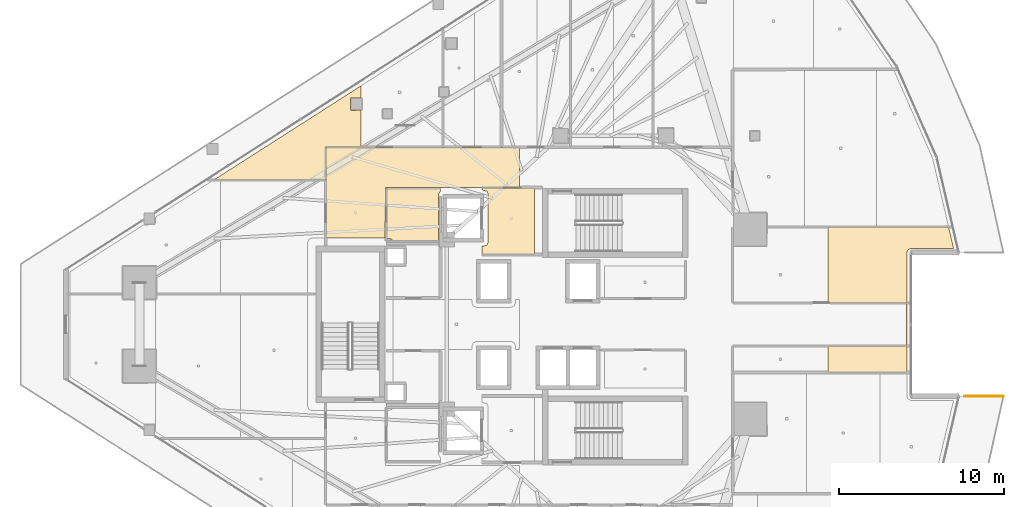
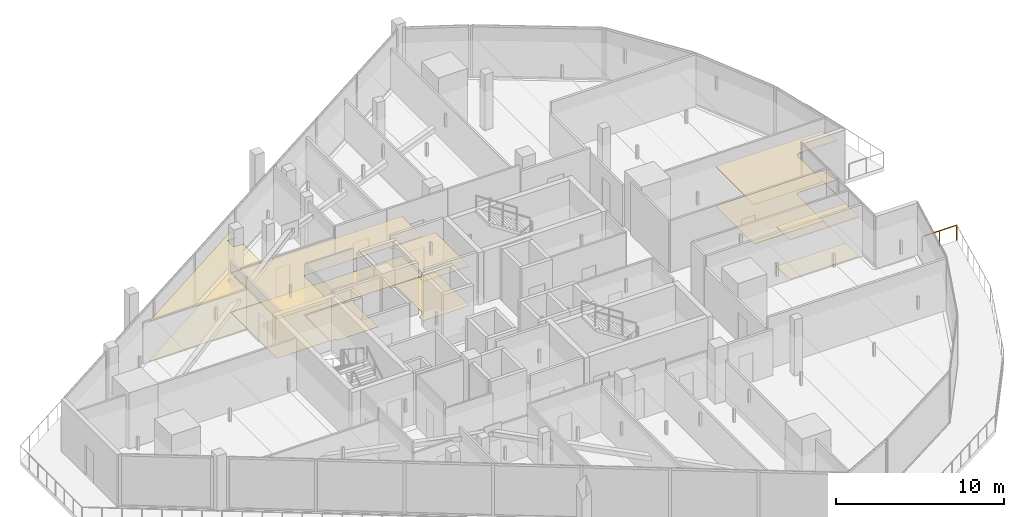
# One storey, part 41 of 43: 9 coverings, 1 railing.
"""IFC4 building model written with IfcOpenShell, lengths in metres."""

import ifcopenshell
import ifcopenshell.guid

model = None  # the IFC model being written
_history = None  # IfcOwnerHistory: only IFC2X3 demands one
_inside = {}  # id of a spatial element -> (the spatial element, [elements in it])
_under = {}  # id of a project, library or spatial element -> (it, [spatial elements below it])
_declared = {}  # id of a project -> (the project, [libraries it declares])
_typed = {}  # id of a type object -> (the type object, [elements of that type])
_made_of = {}  # id of a material, layer set ... -> (it, [elements and type objects made of it])


def new_model(schema):
    """Start an empty IFC model of exactly this schema.

    Asked for "IFC4X3", IfcOpenShell would pick the latest addendum, in which some entities
    have other attributes; the version numbers below select the first issue.
    IFC2X3 requires an IfcOwnerHistory on every rooted entity: one is made here for all.
    """
    global model, _history
    if schema == "IFC4X3":
        model = ifcopenshell.file(schema_version=(4, 3, 0, 0))
    else:
        model = ifcopenshell.file(schema=schema)
    _inside.clear()
    _under.clear()
    _declared.clear()
    _typed.clear()
    _made_of.clear()
    _history = None
    if model.schema == "IFC2X3":
        org = make("IfcOrganization", Name="unknown")
        user = make(
            "IfcPersonAndOrganization",
            ThePerson=make("IfcPerson", FamilyName="unknown"),
            TheOrganization=org,
        )
        app = make(
            "IfcApplication",
            ApplicationDeveloper=org,
            Version="unknown",
            ApplicationFullName="unknown",
            ApplicationIdentifier="unknown",
        )
        _history = make(
            "IfcOwnerHistory",
            OwningUser=user,
            OwningApplication=app,
            ChangeAction="ADDED",
            CreationDate=0,
        )
    return model


def make(cls, **values):
    """One entity of the class cls with the attributes given. An attribute that is None is left unset."""
    return model.create_entity(
        cls, **{name: value for name, value in values.items() if value is not None}
    )


def rooted(cls, **values):
    """An entity with a GlobalId (a new one), such as an element, a storey or a relation."""
    return make(cls, GlobalId=ifcopenshell.guid.new(), OwnerHistory=_history, **values)


def si_unit(unit_type, name, prefix=None):
    """IfcSIUnit, for example si_unit("LENGTHUNIT", "METRE", prefix="MILLI")."""
    return make("IfcSIUnit", UnitType=unit_type, Prefix=prefix, Name=name)


def assignment(units):
    """IfcUnitAssignment: the units of a project."""
    return None if units is None else make("IfcUnitAssignment", Units=units)


def point(xyz):
    """IfcCartesianPoint."""
    return None if xyz is None else make("IfcCartesianPoint", Coordinates=xyz)


def direction(xyz):
    """IfcDirection."""
    return None if xyz is None else make("IfcDirection", DirectionRatios=xyz)


def frame(location, z_axis=None, x_axis=None):
    """IfcAxis2Placement3D, a coordinate frame: its origin and axes. An axis left out is left unset."""
    return make(
        "IfcAxis2Placement3D",
        Location=point(location),
        Axis=direction(z_axis),
        RefDirection=direction(x_axis),
    )


def frame_2d(location, x_axis=None):
    """IfcAxis2Placement2D, a coordinate frame in the plane: its origin and x axis."""
    return make(
        "IfcAxis2Placement2D", Location=point(location), RefDirection=direction(x_axis)
    )


def origin():
    """The frame at (0, 0, 0) with its axes left unset."""
    return frame((0.0, 0.0, 0.0))


def origin_2d():
    """The frame at (0, 0) in the plane with its x axis left unset."""
    return frame_2d((0.0, 0.0))


def place(relative_to, where):
    """IfcLocalPlacement: puts the frame where relative to a parent placement (None: the world)."""
    return make(
        "IfcLocalPlacement", PlacementRelTo=relative_to, RelativePlacement=where
    )


def context(
    kind, dimensions, precision=None, world=None, true_north=None, identifier=None
):
    """IfcGeometricRepresentationContext, for example the 3D "Model" context."""
    return make(
        "IfcGeometricRepresentationContext",
        ContextIdentifier=identifier,
        ContextType=kind,
        CoordinateSpaceDimension=dimensions,
        Precision=precision,
        WorldCoordinateSystem=world,
        TrueNorth=true_north,
    )


def subcontext(parent, identifier, kind, view, scale=None):
    """IfcGeometricRepresentationSubContext, for example "Body" below "Model"."""
    return make(
        "IfcGeometricRepresentationSubContext",
        ContextIdentifier=identifier,
        ContextType=kind,
        ParentContext=parent,
        TargetScale=scale,
        TargetView=view,
    )


def project(units=None, contexts=None):
    """IfcProject with its units and contexts."""
    return rooted(
        "IfcProject",
        Name="project",
        RepresentationContexts=contexts,
        UnitsInContext=assignment(units),
    )


def spatial(cls, under=None, at=None, **own):
    """A site, building, storey or space (cls), placed at a placement, below another one or the project."""
    s = rooted(cls, ObjectPlacement=at, **own)
    if under is not None:
        _under.setdefault(under.id(), (under, []))[1].append(s)
    return s


def polyline(points):
    """IfcPolyline through the points."""
    return make("IfcPolyline", Points=[point(p) for p in points])


def profile(cls, at=None, kind="AREA", **sizes):
    """A parametric profile (cls). Its sizes go by their IFC names, for example OverallWidth=200.0."""
    return make(cls, ProfileType=kind, Position=at, **sizes)


def circle(**sizes):
    """IfcCircleProfileDef."""
    return profile("IfcCircleProfileDef", **sizes)


def outline(outer, holes=None, kind="AREA"):
    """IfcArbitraryClosedProfileDef: a profile drawn as a closed curve; with holes, ...WithVoids."""
    if holes is None:
        return make("IfcArbitraryClosedProfileDef", ProfileType=kind, OuterCurve=outer)
    return make(
        "IfcArbitraryProfileDefWithVoids",
        ProfileType=kind,
        OuterCurve=outer,
        InnerCurves=holes,
    )


def extrude(swept, where, along, depth):
    """IfcExtrudedAreaSolid: the profile swept, set in the frame where, extruded along a direction by depth."""
    return make(
        "IfcExtrudedAreaSolid",
        SweptArea=swept,
        Position=where,
        ExtrudedDirection=direction(along),
        Depth=depth,
    )


def shape(context_of_items, identifier, shape_type, items):
    """IfcShapeRepresentation: the items that make up one representation, for example the "Body"."""
    return make(
        "IfcShapeRepresentation",
        ContextOfItems=context_of_items,
        RepresentationIdentifier=identifier,
        RepresentationType=shape_type,
        Items=items,
    )


def material(Name=None, Category=None):
    """IfcMaterial."""
    return make("IfcMaterial", Name=Name, Category=Category)


def layer(
    of_material, thickness, ventilated=None, Name=None, Category=None, Priority=None
):
    """IfcMaterialLayer: one layer of a wall or slab, of a material (None: an air gap)."""
    return make(
        "IfcMaterialLayer",
        Material=of_material,
        LayerThickness=thickness,
        IsVentilated=ventilated,
        Name=Name,
        Category=Category,
        Priority=Priority,
    )


def layer_set(layers, Name=None):
    """IfcMaterialLayerSet."""
    return make("IfcMaterialLayerSet", MaterialLayers=layers, LayerSetName=Name)


def made_of(thing, what):
    """Note that an element or type object is made of a material, layer set ...; save() writes the relation."""
    if what is not None:
        _made_of.setdefault(what.id(), (what, []))[1].append(thing)
    return thing


def type_object(cls, material=None, **own):
    """A type object (cls), such as IfcWallType, which elements share."""
    return made_of(rooted(cls, **own), material)


def element(
    cls,
    number,
    at=None,
    inside=None,
    cuts=None,
    type_object=None,
    material=None,
    context=None,
    identifier="Body",
    shape_type=None,
    held_by="IfcProductDefinitionShape",
    body=None,
    shapes=None,
    **own,
):
    """One element of the class cls, such as IfcWall. Its Tag is "e" and its number.

    at: its placement. inside: the storey or other place that contains it. cuts: it is an
    opening in that element (IfcRelVoidsElement). A single representation is given by context,
    identifier, shape_type and body (its items); several are given by shapes. held_by: the class
    of the entity that holds the representations. save() writes the other relations.
    """
    e = rooted(cls, Tag="e%d" % number, ObjectPlacement=at, **own)
    if body is not None:
        shapes = [shape(context, identifier, shape_type, body)]
    if shapes is not None:
        e.Representation = make(held_by, Representations=shapes)
    if inside is not None:
        _inside.setdefault(inside.id(), (inside, []))[1].append(e)
    if cuts is not None:
        rooted(
            "IfcRelVoidsElement", RelatingBuildingElement=cuts, RelatedOpeningElement=e
        )
    if type_object is not None:
        _typed.setdefault(type_object.id(), (type_object, []))[1].append(e)
    return made_of(e, material)


def aggregate(whole, parts):
    """IfcRelAggregates: a whole, such as a stair, and the parts it consists of."""
    return rooted("IfcRelAggregates", RelatingObject=whole, RelatedObjects=parts)


def save(model, path):
    """Write the relations noted so far, then the file.

    IfcRelAggregates (storeys below a building ...), IfcRelContainedInSpatialStructure (elements
    in a storey), IfcRelDefinesByType, IfcRelAssociatesMaterial and IfcRelDeclares: one each for
    every whole, place, type object, material and project.
    """
    for whole, parts in _under.values():
        aggregate(whole, parts)
    for where, things in _inside.values():
        rooted(
            "IfcRelContainedInSpatialStructure",
            RelatedElements=things,
            RelatingStructure=where,
        )
    for kind, things in _typed.values():
        rooted("IfcRelDefinesByType", RelatedObjects=things, RelatingType=kind)
    for what, things in _made_of.values():
        rooted("IfcRelAssociatesMaterial", RelatedObjects=things, RelatingMaterial=what)
    for by, libraries in _declared.values():
        rooted("IfcRelDeclares", RelatingContext=by, RelatedDefinitions=libraries)
    model.write(path)


model = new_model("IFC4")

# Units and contexts
model_context = context("Model", 3, precision=1e-05, world=origin(), true_north=direction((0.0, 1.0)))
body_context = subcontext(model_context, "Body", "Model", "MODEL_VIEW")
ifc_project = project(units=[si_unit("LENGTHUNIT", "METRE"), si_unit("AREAUNIT", "SQUARE_METRE"), si_unit("VOLUMEUNIT", "CUBIC_METRE"), si_unit("PLANEANGLEUNIT", "RADIAN"), si_unit("MASSUNIT", "GRAM", prefix="KILO")], contexts=[model_context])

# Site, building, storey
site_placement = place(None, origin())
site = spatial("IfcSite", under=ifc_project, at=site_placement, CompositionType="ELEMENT")
building_placement = place(site_placement, origin())
building = spatial("IfcBuilding", under=site, at=building_placement, Name="Qorvath Tower", CompositionType="ELEMENT")
storey_placement = place(building_placement, frame((0.0, 0.0, 213.14990234375)))
storey = spatial("IfcBuildingStorey", under=building, at=storey_placement, Name="L49", CompositionType="ELEMENT", Elevation=213.14990234375)

# Coverings
ifc_material_1 = material(Name="Acoustic mineral fibre ceiling tile", Category="gypsum")
ifc_layer_1 = layer(ifc_material_1, 0.030029296875)
ifc_layer_set_1 = layer_set([ifc_layer_1], Name="COV-CEIL")
covering_type_1 = type_object("IfcCoveringType", Name="COV-CEIL", PredefinedType="CEILING", material=ifc_layer_set_1)
covering_1_placement = place(storey_placement, frame((0.0, 0.0, 2.85009765625)))
element("IfcCovering", 1, at=covering_1_placement, inside=storey, type_object=covering_type_1, Name="L49 Suspended Acoustic Ceiling 001", PredefinedType="CEILING", context=body_context, shape_type="SweptSolid", body=[
    extrude(outline(polyline([(-25.18994140625, 4.2548828125), (-25.18994140625, 8.294921875), (-28.375, 8.294921875), (-28.375, 8.159912109375), (-28.063232421875, 8.086669921875), (-27.989990234375, 7.909912109375), (-27.989990234375, 4.989990234375), (-28.063232421875, 4.813232421875), (-28.375, 4.739990234375), (-28.375, 4.2548828125), (-25.18994140625, 4.2548828125)])), origin(), (0.0, 0.0, 1.0), 0.030029296875),
])
covering_2_placement = place(storey_placement, frame((0.0, 0.0, 2.85009765625)))
element("IfcCovering", 2, at=covering_2_placement, inside=storey, type_object=covering_type_1, Name="L49 Suspended Acoustic Ceiling 010", PredefinedType="CEILING", context=body_context, shape_type="SweptSolid", body=[
    extrude(outline(polyline([(-26.09521484375, 8.324951171875), (-26.09521484375, 10.7451171875), (-37.844970703125, 10.7451171875), (-37.844970703125, 5.239990234375), (-34.2509765625, 5.239990234375), (-34.219970703125, 8.324951171875), (-26.09521484375, 8.324951171875)])), origin(), (0.0, 0.0, 1.0), 0.030029296875),
])
covering_3_placement = place(storey_placement, frame((0.0, 0.0, 2.85009765625)))
element("IfcCovering", 3, at=covering_3_placement, inside=storey, type_object=covering_type_1, Name="L49 Suspended Acoustic Ceiling 012", PredefinedType="CEILING", context=body_context, shape_type="SweptSolid", body=[
    extrude(outline(polyline([(-35.715087890625, 10.762939453125), (-35.715087890625, 13.010986328125), (-36.3056640625, 12.995849609375), (-36.36572265625, 13.055908203125), (-36.34814453125, 13.748291015625), (-35.715087890625, 13.748291015625), (-35.715087890625, 14.484130859375), (-44.64306640625, 8.777587890625), (-37.863037109375, 8.76953125), (-37.85791015625, 10.762939453125), (-35.715087890625, 10.762939453125)])), origin(), (0.0, 0.0, 1.0), 0.030029296875),
])
covering_4_placement = place(storey_placement, frame((0.0, 0.0, 2.85009765625)))
element("IfcCovering", 4, at=covering_4_placement, inside=storey, type_object=covering_type_1, Name="L49 Suspended Acoustic Ceiling 039", PredefinedType="CEILING", context=body_context, shape_type="SweptSolid", body=[
    extrude(outline(polyline([(-2.506591796875, 4.520751953125), (-2.33544921875, 4.611572265625), (0.273193359375, 4.61279296875), (-0.026611328125, 5.900390625), (-7.342529296875, 5.900390625), (-7.342529296875, 1.31298828125), (-2.5830078125, 1.31298828125), (-2.577880859375, -1.30810546875), (-7.342529296875, -1.310302734375), (-7.342529296875, -2.912841796875), (-2.56591796875, -2.912841796875), (-2.56591796875, 4.35791015625), (-2.506591796875, 4.520751953125)])), origin(), (0.0, 0.0, 1.0), 0.030029296875),
])
ifc_material_2 = material(Name="Low-VOC modular carpet tile", Category="textile")
ifc_layer_2 = layer(ifc_material_2, 0.014892578125)
ifc_layer_set_2 = layer_set([ifc_layer_2], Name="COV-FLOOR-CPT")
covering_type_2 = type_object("IfcCoveringType", Name="COV-FLOOR-CPT", PredefinedType="FLOORING", material=ifc_layer_set_2)
covering_5_placement = place(storey_placement, origin())
element("IfcCovering", 5, at=covering_5_placement, inside=storey, type_object=covering_type_2, Name="L49 Floor Finish 012", PredefinedType="FLOORING", context=body_context, shape_type="SweptSolid", body=[
    extrude(outline(polyline([(-35.715087890625, 10.762939453125), (-35.715087890625, 13.010986328125), (-36.3056640625, 12.995849609375), (-36.36572265625, 13.055908203125), (-36.34814453125, 13.748291015625), (-35.715087890625, 13.748291015625), (-35.715087890625, 14.484130859375), (-44.64306640625, 8.777587890625), (-37.863037109375, 8.76953125), (-37.85791015625, 10.762939453125), (-35.715087890625, 10.762939453125)])), origin(), (0.0, 0.0, 1.0), 0.01513671875),
])
covering_6_placement = place(storey_placement, origin())
element("IfcCovering", 6, at=covering_6_placement, inside=storey, type_object=covering_type_2, Name="L49 Floor Finish 039", PredefinedType="FLOORING", context=body_context, shape_type="SweptSolid", body=[
    extrude(outline(polyline([(-2.506591796875, 4.520751953125), (-2.33544921875, 4.611572265625), (0.273193359375, 4.61279296875), (-0.026611328125, 5.900390625), (-7.342529296875, 5.900390625), (-7.342529296875, 1.31298828125), (-2.5830078125, 1.31298828125), (-2.577880859375, -1.30810546875), (-7.342529296875, -1.310302734375), (-7.342529296875, -2.912841796875), (-2.56591796875, -2.912841796875), (-2.56591796875, 4.35791015625), (-2.506591796875, 4.520751953125)])), origin(), (0.0, 0.0, 1.0), 0.01513671875),
])
ifc_material_3 = material(Name="Polished epoxy terrazzo flooring", Category="concrete")
ifc_layer_3 = layer(ifc_material_3, 0.02001953125)
ifc_layer_set_3 = layer_set([ifc_layer_3], Name="COV-FLOOR-TRZ")
covering_type_3 = type_object("IfcCoveringType", Name="COV-FLOOR-TRZ", PredefinedType="FLOORING", material=ifc_layer_set_3)
covering_7_placement = place(storey_placement, origin())
element("IfcCovering", 7, at=covering_7_placement, inside=storey, type_object=covering_type_3, Name="L49 Floor Finish 001", PredefinedType="FLOORING", context=body_context, shape_type="SweptSolid", body=[
    extrude(outline(polyline([(-25.18994140625, 4.2548828125), (-25.18994140625, 8.294921875), (-28.375, 8.294921875), (-28.375, 8.159912109375), (-28.063232421875, 8.086669921875), (-27.989990234375, 7.909912109375), (-27.989990234375, 4.989990234375), (-28.063232421875, 4.813232421875), (-28.375, 4.739990234375), (-28.375, 4.2548828125), (-25.18994140625, 4.2548828125)])), origin(), (0.0, 0.0, 1.0), 0.01513671875),
])
covering_8_placement = place(storey_placement, origin())
element("IfcCovering", 8, at=covering_8_placement, inside=storey, type_object=covering_type_3, Name="L49 Floor Finish 005", PredefinedType="FLOORING", context=body_context, shape_type="SweptSolid", body=[
    extrude(outline(polyline([(-31.010009765625, 5.054931640625), (-31.010009765625, 7.909912109375), (-30.885009765625, 8.108154296875), (-30.885009765625, 8.2451171875), (-34.175048828125, 8.2451171875), (-34.175048828125, 5.239990234375), (-33.833251953125, 5.166748046875), (-33.786865234375, 5.054931640625), (-31.010009765625, 5.054931640625)])), origin(), (0.0, 0.0, 1.0), 0.01513671875),
])
covering_9_placement = place(storey_placement, origin())
element("IfcCovering", 9, at=covering_9_placement, inside=storey, type_object=covering_type_3, Name="L49 Floor Finish 010", PredefinedType="FLOORING", context=body_context, shape_type="SweptSolid", body=[
    extrude(outline(polyline([(-26.09521484375, 8.324951171875), (-26.09521484375, 10.7451171875), (-37.844970703125, 10.7451171875), (-37.844970703125, 5.239990234375), (-34.2509765625, 5.239990234375), (-34.219970703125, 8.324951171875), (-26.09521484375, 8.324951171875)])), origin(), (0.0, 0.0, 1.0), 0.01513671875),
])

# Railing
ifc_material_4 = material(Name="Laminated safety glass and stainless steel AISI 316", Category="steel")
railing_type = type_object("IfcRailingType", Name="RL-EXT-GRD", PredefinedType="GUARDRAIL", material=ifc_material_4)
railing_placement = place(storey_placement, frame((0.94384765625, -4.35791015625, 0.0)))
element("IfcRailing", 10, at=railing_placement, inside=storey, type_object=railing_type, Name="Loggia Perimeter Guardrail L49-1.2", PredefinedType="GUARDRAIL", context=body_context, shape_type="SweptSolid", body=[
    extrude(circle(Radius=0.02392578125, at=origin_2d()), frame((0.0, 0.0, 1.09619140625), z_axis=(1.0, 0.0, 0.0), x_axis=(0.0, 1.0, 0.0)), (0.0, 0.0, 1.0), 2.366943359375),
    extrude(circle(Radius=0.02099609375, at=origin_2d()), origin(), (0.0, 0.0, 1.0), 1.072021484375),
    extrude(circle(Radius=0.02099609375, at=origin_2d()), frame((1.18359375, 0.0, 0.0)), (0.0, 0.0, 1.0), 1.072021484375),
    extrude(circle(Radius=0.02099609375, at=origin_2d()), frame((2.366943359375, 0.0, 0.0)), (0.0, 0.0, 1.0), 1.072021484375),
])

save(model, "model.ifc")
